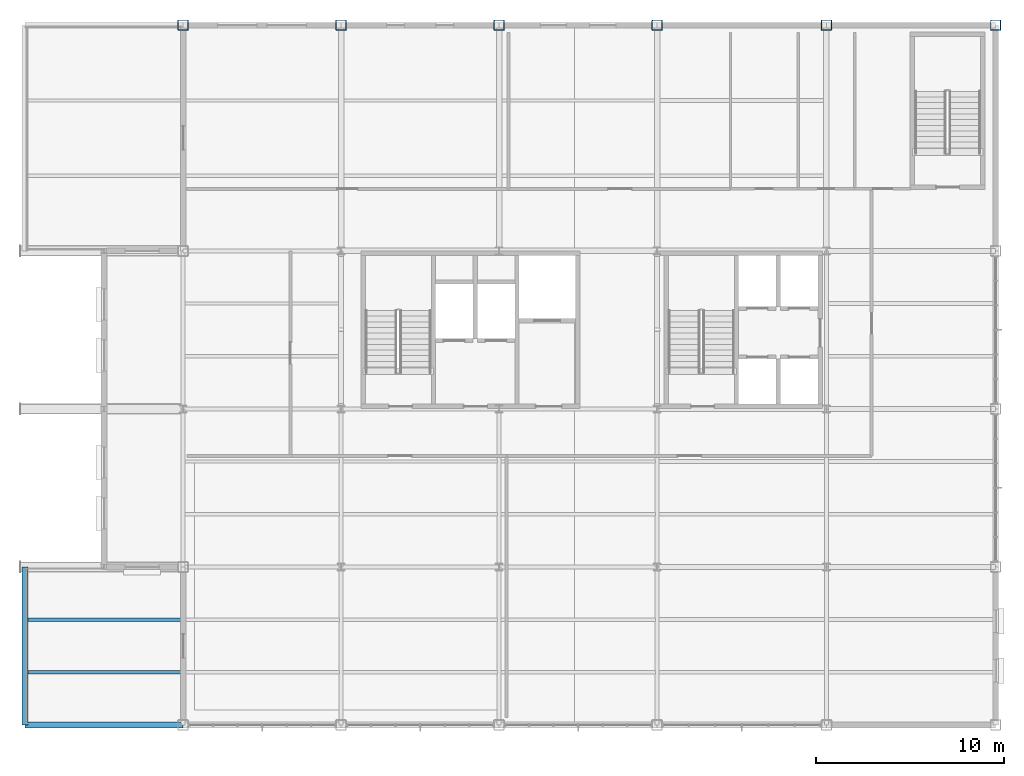
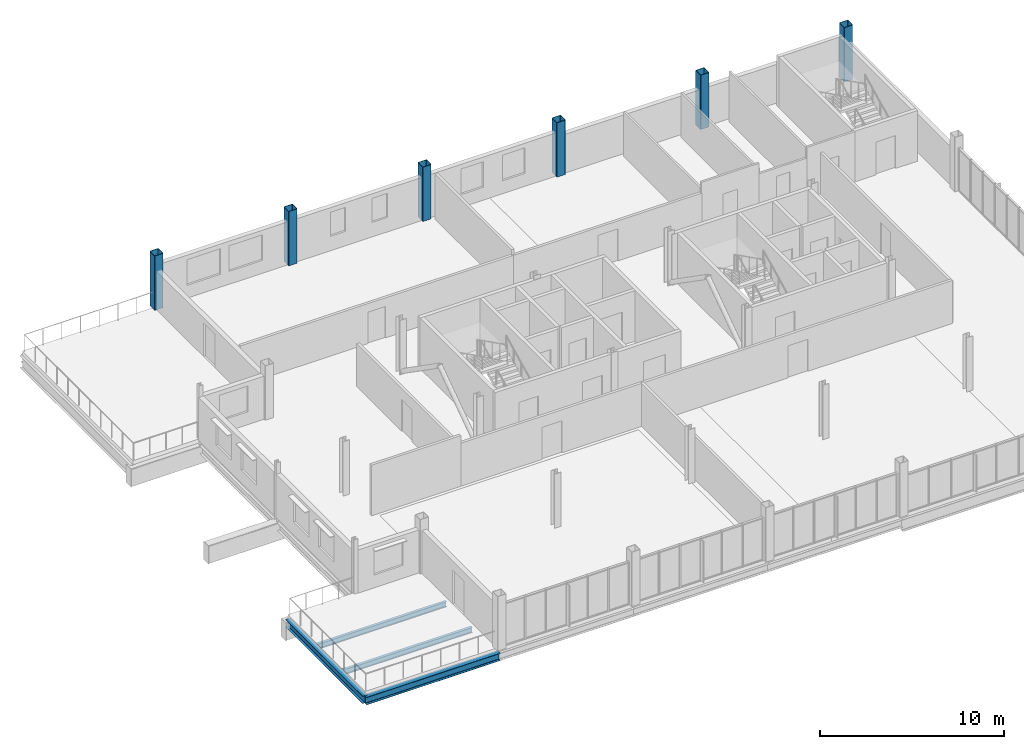
# One storey, part 3 of 18: 6 columns, 4 beams.
"""IFC4 building model written with IfcOpenShell, lengths in metres."""

from ifc_helpers import new_model, si_unit, direction, frame, origin, origin_2d, place, context, subcontext, project, spatial, hollow_rectangle, i_section, extrude, material, material_profile, profile_set, type_object, element, save


model = new_model("IFC4")

# Units and contexts
model_context = context("Model", 3, precision=1e-05, world=origin(), true_north=direction((0.0, 1.0)))
body_context = subcontext(model_context, "Body", "Model", "MODEL_VIEW")
ifc_project = project(units=[si_unit("LENGTHUNIT", "METRE"), si_unit("AREAUNIT", "SQUARE_METRE"), si_unit("VOLUMEUNIT", "CUBIC_METRE"), si_unit("PLANEANGLEUNIT", "RADIAN"), si_unit("MASSUNIT", "GRAM", prefix="KILO")], contexts=[model_context])

# Site, building, storey
site_placement = place(None, origin())
site = spatial("IfcSite", under=ifc_project, at=site_placement, CompositionType="ELEMENT")
building_placement = place(site_placement, origin())
building = spatial("IfcBuilding", under=site, at=building_placement, Name="Yukiwa Park Conservatory and Herbarium", CompositionType="ELEMENT")
storey_placement = place(building_placement, frame((0.0, 0.0, 21.0)))
storey = spatial("IfcBuildingStorey", under=building, at=storey_placement, Name="L05", CompositionType="ELEMENT", Elevation=21.0)

# Columns
ifc_material_1 = material(Name="Steel Q355D", Category="steel")
ifc_material_profile_1 = material_profile(ifc_material_1, hollow_rectangle(XDim=0.550048828125, YDim=0.550048828125, WallThickness=0.02197265625, InnerFilletRadius=0.02197265625, OuterFilletRadius=0.0439453125, at=origin_2d()), Name="BOX 550x550x22")
ifc_profile_set_1 = profile_set([ifc_material_profile_1], Name="Steel Q355D")
column_type = type_object("IfcColumnType", Name="COL-TW-BOX550-EXT", PredefinedType="COLUMN", material=ifc_profile_set_1)
for number, where, z_axis, x_axis, name in (
    (1, (124.800048828125, 115.199951171875, 0.0), (0.0, 0.0, 1.0), (1.0, 0.0, 0.0), "L05 column V5-X1248-Y1152"),
    (2, (133.199951171875, 115.199951171875, 0.0), (0.0, 0.0, 1.0), (1.0, 0.0, 0.0), "L05 column V5-X1332-Y1152"),
    (3, (141.60009765625, 115.199951171875, 0.0), (0.0, 0.0, 1.0), (1.0, 0.0, 0.0), "L05 column V5-X1416-Y1152"),
    (4, (150.0, 115.199951171875, 0.0), (0.0, 0.0, 1.0), (1.0, 0.0, 0.0), "L05 column V5-X1500-Y1152"),
    (5, (159.0, 115.199951171875, 0.0), (0.0, 0.0, 1.0), (1.0, 0.0, 0.0), "L05 column V5-X1590-Y1152"),
    (6, (168.0, 115.199951171875, 0.0), (0.0, 0.0, 1.0), (1.0, 0.0, 0.0), "L05 column V5-X1680-Y1152"),
):
    element("IfcColumn", number, at=place(storey_placement, frame(where, z_axis=z_axis, x_axis=x_axis)), inside=storey, type_object=column_type, Name=name, PredefinedType="COLUMN", context=body_context, shape_type="SweptSolid", body=[
        extrude(hollow_rectangle(XDim=0.550048828125, YDim=0.550048828125, WallThickness=0.02197265625, InnerFilletRadius=0.02197265625, OuterFilletRadius=0.0439453125, at=origin_2d()), origin(), (0.0, 0.0, 1.0), 3.60009765625),
    ])

# Beams
ifc_material_2 = material(Name="Steel Q355D", Category="steel")
ifc_material_profile_2 = material_profile(ifc_material_2, i_section(OverallWidth=0.175048828125, OverallDepth=0.35009765625, WebThickness=0.007080078125, FlangeThickness=0.010986328125, FilletRadius=0.013916015625, at=origin_2d()), Name="HN 350x175x7x11")
ifc_profile_set_2 = profile_set([ifc_material_profile_2], Name="Steel Q355D")
beam_type_1 = type_object("IfcBeamType", Name="BM-JST-HN350", PredefinedType="JOIST", material=ifc_profile_set_2)
for number, where, z_axis, x_axis, name in (
    (7, (116.5458984375, 80.800048828125, -0.47509765625), (1.0, 0.0, 0.0), (0.0, 1.0, 0.0), "L05 composite floor joist 1"),
    (8, (116.5458984375, 83.60009765625, -0.47509765625), (1.0, 0.0, 0.0), (0.0, 1.0, 0.0), "L05 composite floor joist 2"),
):
    element("IfcBeam", number, at=place(storey_placement, frame(where, z_axis=z_axis, x_axis=x_axis)), inside=storey, type_object=beam_type_1, Name=name, PredefinedType="JOIST", context=body_context, shape_type="SweptSolid", body=[
        extrude(i_section(OverallWidth=0.175048828125, OverallDepth=0.35009765625, WebThickness=0.007080078125, FlangeThickness=0.010986328125, FilletRadius=0.013916015625, at=origin_2d()), origin(), (0.0, 0.0, 1.0), 8.158203125),
    ])
ifc_material_3 = material(Name="Steel Q355D", Category="steel")
ifc_material_profile_3 = material_profile(ifc_material_3, i_section(OverallWidth=0.300048828125, OverallDepth=0.5, WebThickness=0.010986328125, FlangeThickness=0.01806640625, FilletRadius=0.02392578125, at=origin_2d()), Name="HM 500x300x11x18")
ifc_profile_set_3 = profile_set([ifc_material_profile_3], Name="Steel Q355D")
beam_type_2 = type_object("IfcBeamType", Name="BM-SPN-HN500", PredefinedType="SPANDREL", material=ifc_profile_set_3)
for number, where, z_axis, x_axis, name in (
    (9, (116.406005859375, 78.0, -0.550048828125), (1.0, 0.0, 0.0), (0.0, 1.0, 0.0), "L05 spandrel beam X-1"),
    (10, (116.39990234375, 78.006103515625, -0.510009765625), (0.0, 1.0, 0.0), (-1.0, 0.0, 0.0), "L05 spandrel girder Y-28"),
):
    element("IfcBeam", number, at=place(storey_placement, frame(where, z_axis=z_axis, x_axis=x_axis)), inside=storey, type_object=beam_type_2, Name=name, PredefinedType="SPANDREL", context=body_context, shape_type="SweptSolid", body=[
        extrude(i_section(OverallWidth=0.300048828125, OverallDepth=0.5, WebThickness=0.010986328125, FlangeThickness=0.01806640625, FilletRadius=0.02392578125, at=origin_2d()), origin(), (0.0, 0.0, 1.0), 8.387939453125),
    ])

save(model, "model.ifc")
